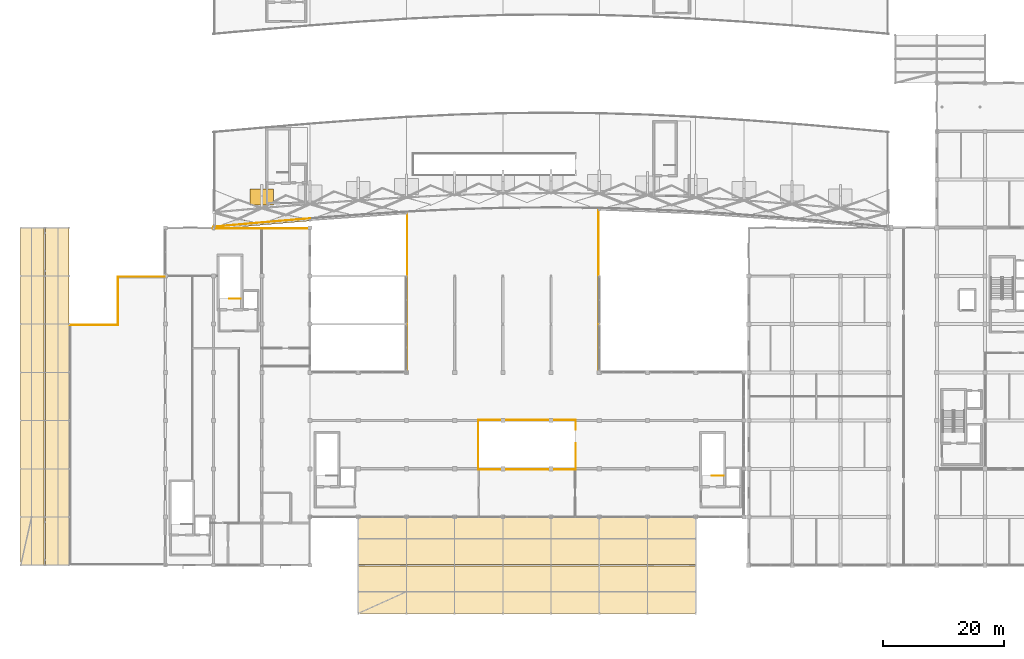
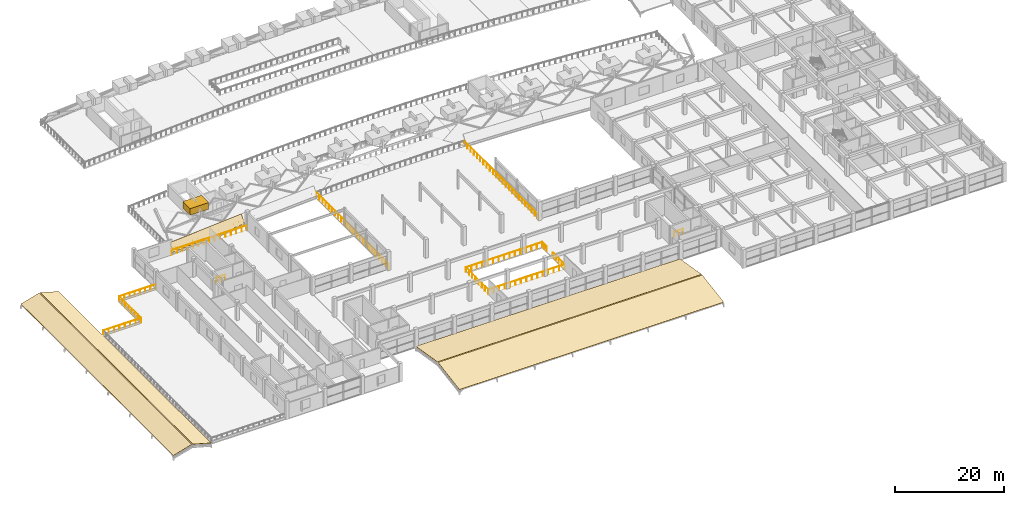
# One storey, part 60 of 67: 14 railings, 5 coverings, 1 shading device.
"""IFC4 building model written with IfcOpenShell, lengths in metres."""

from ifc_helpers import new_model, si_unit, direction, frame, origin, origin_2d, place, context, subcontext, project, spatial, polyline, rectangle, circle, outline, extrude, material, layer, layer_set, type_object, element, save


model = new_model("IFC4")

# Units and contexts
model_context = context("Model", 3, precision=1e-05, world=origin(), true_north=direction((0.0, 1.0)))
body_context = subcontext(model_context, "Body", "Model", "MODEL_VIEW")
ifc_project = project(units=[si_unit("LENGTHUNIT", "METRE"), si_unit("AREAUNIT", "SQUARE_METRE"), si_unit("VOLUMEUNIT", "CUBIC_METRE"), si_unit("PLANEANGLEUNIT", "RADIAN"), si_unit("MASSUNIT", "GRAM", prefix="KILO")], contexts=[model_context])

# Site, building, storey
site_placement = place(None, origin())
site = spatial("IfcSite", under=ifc_project, at=site_placement, CompositionType="ELEMENT")
building_placement = place(site_placement, origin())
building = spatial("IfcBuilding", under=site, at=building_placement, Name="Kenh Van Central Station", CompositionType="ELEMENT")
storey_placement = place(building_placement, frame((0.0, 0.0, 10.800048828125)))
storey = spatial("IfcBuildingStorey", under=building, at=storey_placement, Name="L02", CompositionType="ELEMENT", Elevation=10.800048828125)

# Coverings
ifc_material_1 = material(Name="Standing-seam zinc-aluminium roofing", Category="aluminium")
ifc_layer_1 = layer(ifc_material_1, 0.044921875, Name="Standing-seam zinc-aluminium roofing")
ifc_layer_set_1 = layer_set([ifc_layer_1], Name="Standing-seam zinc-aluminium roofing")
covering_type_1 = type_object("IfcCoveringType", Name="COV-ROOF-SEAM", PredefinedType="ROOFING", material=ifc_layer_set_1)
covering_1_placement = place(storey_placement, frame((32.0, 63.739990234375, 0.614990234375), z_axis=(0.071946943803, -0.829104081069, 0.554445723251), x_axis=(0.996256030684, 0.086451843971, 0.0)))
element("IfcCovering", 1, at=covering_1_placement, inside=storey, type_object=covering_type_1, Name="Train shed springing curb roofing S1", PredefinedType="ROOFING", context=body_context, shape_type="SweptSolid", body=[
    extrude(outline(polyline([(0.0, 0.0), (16.06012862879939, 1.1102230246251565e-16), (16.151392733616685, 1.896870414067549), (0.09126410481729474, 1.896870414067549), (0.0, 0.0)])), origin(), (0.0, 0.0, -1.0), 0.044921875),
])
covering_2_placement = place(storey_placement, frame((56.0, 0.0, 0.139892578125), z_axis=(0.0, -0.162381087761, 0.986728119766), x_axis=(1.0, 0.0, 0.0)))
element("IfcCovering", 2, at=covering_2_placement, inside=storey, type_object=covering_type_1, Name="L02 pitched roof covering 01", PredefinedType="ROOFING", context=body_context, shape_type="SweptSolid", body=[
    extrude(outline(polyline([(0.0, 0.0), (56.0, 0.0), (56.0, 8.006159128839244), (0.0, 8.006159128839244), (0.0, 0.0)])), origin(), (0.0, 0.0, -1.0), 0.044921875),
])
covering_3_placement = place(storey_placement, frame((0.0, 8.0, 0.139892578125), z_axis=(-0.271488785727, 0.0, 0.96244160302), x_axis=(0.96244160302, 0.0, 0.271488785727)))
element("IfcCovering", 3, at=covering_3_placement, inside=storey, type_object=covering_type_1, Name="L02 pitched roof covering 09", PredefinedType="ROOFING", context=body_context, shape_type="SweptSolid", body=[
    extrude(outline(polyline([(0.0, 0.0), (4.052092440218201, 0.0), (4.052092440218201, 56.000000000000014), (0.0, 56.000000000000014), (0.0, 0.0)])), origin(), (0.0, 0.0, -1.0), 0.044921875),
])
ifc_material_2 = material(Name="Glazed terracotta roof tile", Category="masonry")
ifc_layer_2 = layer(ifc_material_2, 0.054931640625, Name="Glazed terracotta roof tile")
ifc_layer_set_2 = layer_set([ifc_layer_2], Name="Glazed terracotta roof tile")
covering_type_2 = type_object("IfcCoveringType", Name="COV-ROOF-TERRA", PredefinedType="ROOFING", material=ifc_layer_set_2)
covering_4_placement = place(storey_placement, frame((56.0, 8.10009765625, 1.43994140625), z_axis=(0.0, 0.162381087761, 0.986728119766), x_axis=(1.0, 0.0, 0.0)))
element("IfcCovering", 4, at=covering_4_placement, inside=storey, type_object=covering_type_2, Name="L02 pitched roof covering 02", PredefinedType="ROOFING", context=body_context, shape_type="SweptSolid", body=[
    extrude(outline(polyline([(0.0, 0.0), (56.0, 0.0), (56.0, 8.006159128839244), (0.0, 8.006159128839244), (0.0, 0.0)])), origin(), (0.0, 0.0, -1.0), 0.054931640625),
])
covering_5_placement = place(storey_placement, frame((4.10009765625, 8.0, 1.239990234375), z_axis=(0.271488785727, 0.0, 0.96244160302), x_axis=(0.96244160302, 0.0, -0.271488785727)))
element("IfcCovering", 5, at=covering_5_placement, inside=storey, type_object=covering_type_2, Name="L02 pitched roof covering 10", PredefinedType="ROOFING", context=body_context, shape_type="SweptSolid", body=[
    extrude(outline(polyline([(0.0, 0.0), (4.052092440218201, 0.0), (4.052092440218201, 56.000000000000014), (0.0, 56.000000000000014), (0.0, 0.0)])), origin(), (0.0, 0.0, -1.0), 0.054931640625),
])

# Railings
ifc_material_3 = material(Name="Champagne anodised aluminium", Category="aluminium")
railing_type_1 = type_object("IfcRailingType", Name="RAIL-CORE-GRD110", PredefinedType="GUARDRAIL", material=ifc_material_3)
railing_1_placement = place(storey_placement, frame((36.5, 52.199951171875, 0.0)))
element("IfcRailing", 6, at=railing_1_placement, inside=storey, type_object=railing_type_1, Name="L02 ST-02 top well guard 1", PredefinedType="GUARDRAIL", context=body_context, shape_type="SweptSolid", body=[
    extrude(circle(Radius=0.02392578125, at=origin_2d()), frame((0.0, 0.0, 1.076171875), z_axis=(-1.0, 0.0, 0.0), x_axis=(0.0, -1.0, 0.0)), (0.0, 0.0, 1.0), 1.85009765625),
    extrude(circle(Radius=0.02099609375, at=origin_2d()), origin(), (0.0, 0.0, 1.0), 1.052001953125),
    extrude(circle(Radius=0.02099609375, at=origin_2d()), frame((-0.925048828125, 0.0, 0.0)), (0.0, 0.0, 1.0), 1.052001953125),
    extrude(circle(Radius=0.02099609375, at=origin_2d()), frame((-1.85009765625, 0.0, 0.0)), (0.0, 0.0, 1.0), 1.052001953125),
])
railing_2_placement = place(storey_placement, frame((116.60009765625, 22.85009765625, 0.0)))
element("IfcRailing", 7, at=railing_2_placement, inside=storey, type_object=railing_type_1, Name="L02 ST-04 top well guard 1", PredefinedType="GUARDRAIL", context=body_context, shape_type="SweptSolid", body=[
    extrude(circle(Radius=0.02392578125, at=origin_2d()), frame((0.0, 0.0, 1.076171875), z_axis=(-1.0, 0.0, 0.0), x_axis=(0.0, -1.0, 0.0)), (0.0, 0.0, 1.0), 1.900146484375),
    extrude(circle(Radius=0.02099609375, at=origin_2d()), origin(), (0.0, 0.0, 1.0), 1.052001953125),
    extrude(circle(Radius=0.02099609375, at=origin_2d()), frame((-0.9501953125, 0.0, 0.0)), (0.0, 0.0, 1.0), 1.052001953125),
    extrude(circle(Radius=0.02099609375, at=origin_2d()), frame((-1.900146484375, 0.0, 0.0)), (0.0, 0.0, 1.0), 1.052001953125),
])
railing_type_2 = type_object("IfcRailingType", Name="RAIL-PUB-BAL112", PredefinedType="BALUSTRADE", material=ifc_material_3)
railing_3_placement = place(storey_placement, frame((75.89990234375, 23.89990234375, 0.0)))
element("IfcRailing", 8, at=railing_3_placement, inside=storey, type_object=railing_type_2, Name="L02 atrium void balustrade 11", PredefinedType="BALUSTRADE", context=body_context, shape_type="SweptSolid", body=[
    extrude(circle(Radius=0.02392578125, at=origin_2d()), frame((0.0, 0.0, 1.09619140625), z_axis=(1.0, 0.0, 0.0), x_axis=(0.0, 1.0, 0.0)), (0.0, 0.0, 1.0), 16.2001953125),
    extrude(circle(Radius=0.02099609375, at=origin_2d()), origin(), (0.0, 0.0, 1.0), 1.072021484375),
    extrude(circle(Radius=0.02099609375, at=origin_2d()), frame((1.1572265625, 0.0, 0.0)), (0.0, 0.0, 1.0), 1.072021484375),
    extrude(circle(Radius=0.02099609375, at=origin_2d()), frame((2.314208984375, 0.0, 0.0)), (0.0, 0.0, 1.0), 1.072021484375),
    extrude(circle(Radius=0.02099609375, at=origin_2d()), frame((3.471435546875, 0.0, 0.0)), (0.0, 0.0, 1.0), 1.072021484375),
    extrude(circle(Radius=0.02099609375, at=origin_2d()), frame((4.628662109375, 0.0, 0.0)), (0.0, 0.0, 1.0), 1.072021484375),
    extrude(circle(Radius=0.02099609375, at=origin_2d()), frame((5.785888671875, 0.0, 0.0)), (0.0, 0.0, 1.0), 1.072021484375),
    extrude(circle(Radius=0.02099609375, at=origin_2d()), frame((6.94287109375, 0.0, 0.0)), (0.0, 0.0, 1.0), 1.072021484375),
    extrude(circle(Radius=0.02099609375, at=origin_2d()), frame((8.10009765625, 0.0, 0.0)), (0.0, 0.0, 1.0), 1.072021484375),
    extrude(circle(Radius=0.02099609375, at=origin_2d()), frame((9.25732421875, 0.0, 0.0)), (0.0, 0.0, 1.0), 1.072021484375),
    extrude(circle(Radius=0.02099609375, at=origin_2d()), frame((10.414306640625, 0.0, 0.0)), (0.0, 0.0, 1.0), 1.072021484375),
    extrude(circle(Radius=0.02099609375, at=origin_2d()), frame((11.571533203125, 0.0, 0.0)), (0.0, 0.0, 1.0), 1.072021484375),
    extrude(circle(Radius=0.02099609375, at=origin_2d()), frame((12.728759765625, 0.0, 0.0)), (0.0, 0.0, 1.0), 1.072021484375),
    extrude(circle(Radius=0.02099609375, at=origin_2d()), frame((13.885986328125, 0.0, 0.0)), (0.0, 0.0, 1.0), 1.072021484375),
    extrude(circle(Radius=0.02099609375, at=origin_2d()), frame((15.04296875, 0.0, 0.0)), (0.0, 0.0, 1.0), 1.072021484375),
    extrude(circle(Radius=0.02099609375, at=origin_2d()), frame((16.2001953125, 0.0, 0.0)), (0.0, 0.0, 1.0), 1.072021484375),
])
railing_4_placement = place(storey_placement, frame((75.89990234375, 32.10009765625, 0.0)))
element("IfcRailing", 9, at=railing_4_placement, inside=storey, type_object=railing_type_2, Name="L02 atrium void balustrade 12", PredefinedType="BALUSTRADE", context=body_context, shape_type="SweptSolid", body=[
    extrude(circle(Radius=0.02392578125, at=origin_2d()), frame((0.0, 0.0, 1.09619140625), z_axis=(1.0, 0.0, 0.0), x_axis=(0.0, 1.0, 0.0)), (0.0, 0.0, 1.0), 16.2001953125),
    extrude(circle(Radius=0.02099609375, at=origin_2d()), origin(), (0.0, 0.0, 1.0), 1.072021484375),
    extrude(circle(Radius=0.02099609375, at=origin_2d()), frame((1.1572265625, 0.0, 0.0)), (0.0, 0.0, 1.0), 1.072021484375),
    extrude(circle(Radius=0.02099609375, at=origin_2d()), frame((2.314208984375, 0.0, 0.0)), (0.0, 0.0, 1.0), 1.072021484375),
    extrude(circle(Radius=0.02099609375, at=origin_2d()), frame((3.471435546875, 0.0, 0.0)), (0.0, 0.0, 1.0), 1.072021484375),
    extrude(circle(Radius=0.02099609375, at=origin_2d()), frame((4.628662109375, 0.0, 0.0)), (0.0, 0.0, 1.0), 1.072021484375),
    extrude(circle(Radius=0.02099609375, at=origin_2d()), frame((5.785888671875, 0.0, 0.0)), (0.0, 0.0, 1.0), 1.072021484375),
    extrude(circle(Radius=0.02099609375, at=origin_2d()), frame((6.94287109375, 0.0, 0.0)), (0.0, 0.0, 1.0), 1.072021484375),
    extrude(circle(Radius=0.02099609375, at=origin_2d()), frame((8.10009765625, 0.0, 0.0)), (0.0, 0.0, 1.0), 1.072021484375),
    extrude(circle(Radius=0.02099609375, at=origin_2d()), frame((9.25732421875, 0.0, 0.0)), (0.0, 0.0, 1.0), 1.072021484375),
    extrude(circle(Radius=0.02099609375, at=origin_2d()), frame((10.414306640625, 0.0, 0.0)), (0.0, 0.0, 1.0), 1.072021484375),
    extrude(circle(Radius=0.02099609375, at=origin_2d()), frame((11.571533203125, 0.0, 0.0)), (0.0, 0.0, 1.0), 1.072021484375),
    extrude(circle(Radius=0.02099609375, at=origin_2d()), frame((12.728759765625, 0.0, 0.0)), (0.0, 0.0, 1.0), 1.072021484375),
    extrude(circle(Radius=0.02099609375, at=origin_2d()), frame((13.885986328125, 0.0, 0.0)), (0.0, 0.0, 1.0), 1.072021484375),
    extrude(circle(Radius=0.02099609375, at=origin_2d()), frame((15.04296875, 0.0, 0.0)), (0.0, 0.0, 1.0), 1.072021484375),
    extrude(circle(Radius=0.02099609375, at=origin_2d()), frame((16.2001953125, 0.0, 0.0)), (0.0, 0.0, 1.0), 1.072021484375),
])
railing_5_placement = place(storey_placement, frame((75.89990234375, 23.89990234375, 0.0)))
element("IfcRailing", 10, at=railing_5_placement, inside=storey, type_object=railing_type_2, Name="L02 atrium void balustrade 13", PredefinedType="BALUSTRADE", context=body_context, shape_type="SweptSolid", body=[
    extrude(circle(Radius=0.02392578125, at=origin_2d()), frame((0.0, 0.0, 1.09619140625), z_axis=(0.0, 1.0, 0.0), x_axis=(-1.0, 0.0, 0.0)), (0.0, 0.0, 1.0), 8.2001953125),
    extrude(circle(Radius=0.02099609375, at=origin_2d()), origin(), (0.0, 0.0, 1.0), 1.072021484375),
    extrude(circle(Radius=0.02099609375, at=origin_2d()), frame((0.0, 1.17138671875, 0.0)), (0.0, 0.0, 1.0), 1.072021484375),
    extrude(circle(Radius=0.02099609375, at=origin_2d()), frame((0.0, 2.343017578125, 0.0)), (0.0, 0.0, 1.0), 1.072021484375),
    extrude(circle(Radius=0.02099609375, at=origin_2d()), frame((0.0, 3.514404296875, 0.0)), (0.0, 0.0, 1.0), 1.072021484375),
    extrude(circle(Radius=0.02099609375, at=origin_2d()), frame((0.0, 4.685791015625, 0.0)), (0.0, 0.0, 1.0), 1.072021484375),
    extrude(circle(Radius=0.02099609375, at=origin_2d()), frame((0.0, 5.857177734375, 0.0)), (0.0, 0.0, 1.0), 1.072021484375),
    extrude(circle(Radius=0.02099609375, at=origin_2d()), frame((0.0, 7.02880859375, 0.0)), (0.0, 0.0, 1.0), 1.072021484375),
    extrude(circle(Radius=0.02099609375, at=origin_2d()), frame((0.0, 8.2001953125, 0.0)), (0.0, 0.0, 1.0), 1.072021484375),
])
railing_6_placement = place(storey_placement, frame((92.10009765625, 23.89990234375, 0.0)))
element("IfcRailing", 11, at=railing_6_placement, inside=storey, type_object=railing_type_2, Name="L02 atrium void balustrade 14", PredefinedType="BALUSTRADE", context=body_context, shape_type="SweptSolid", body=[
    extrude(circle(Radius=0.02392578125, at=origin_2d()), frame((0.0, 0.0, 1.09619140625), z_axis=(0.0, 1.0, 0.0), x_axis=(-1.0, 0.0, 0.0)), (0.0, 0.0, 1.0), 4.300048828125),
    extrude(circle(Radius=0.02099609375, at=origin_2d()), origin(), (0.0, 0.0, 1.0), 1.072021484375),
    extrude(circle(Radius=0.02099609375, at=origin_2d()), frame((0.0, 1.074951171875, 0.0)), (0.0, 0.0, 1.0), 1.072021484375),
    extrude(circle(Radius=0.02099609375, at=origin_2d()), frame((0.0, 2.14990234375, 0.0)), (0.0, 0.0, 1.0), 1.072021484375),
    extrude(circle(Radius=0.02099609375, at=origin_2d()), frame((0.0, 3.22509765625, 0.0)), (0.0, 0.0, 1.0), 1.072021484375),
    extrude(circle(Radius=0.02099609375, at=origin_2d()), frame((0.0, 4.300048828125, 0.0)), (0.0, 0.0, 1.0), 1.072021484375),
])
railing_7_placement = place(storey_placement, frame((92.10009765625, 30.5, 0.0)))
element("IfcRailing", 12, at=railing_7_placement, inside=storey, type_object=railing_type_2, Name="L02 atrium void balustrade 15", PredefinedType="BALUSTRADE", context=body_context, shape_type="SweptSolid", body=[
    extrude(circle(Radius=0.02392578125, at=origin_2d()), frame((0.0, 0.0, 1.09619140625), z_axis=(0.0, 1.0, 0.0), x_axis=(-1.0, 0.0, 0.0)), (0.0, 0.0, 1.0), 1.60009765625),
    extrude(circle(Radius=0.02099609375, at=origin_2d()), origin(), (0.0, 0.0, 1.0), 1.072021484375),
    extrude(circle(Radius=0.02099609375, at=origin_2d()), frame((0.0, 0.800048828125, 0.0)), (0.0, 0.0, 1.0), 1.072021484375),
    extrude(circle(Radius=0.02099609375, at=origin_2d()), frame((0.0, 1.60009765625, 0.0)), (0.0, 0.0, 1.0), 1.072021484375),
])
railing_type_3 = type_object("IfcRailingType", Name="RAIL-TERR-GRD115", PredefinedType="GUARDRAIL", material=ifc_material_3)
railing_8_placement = place(storey_placement, frame((8.14990234375, 47.85009765625, 0.0)))
element("IfcRailing", 13, at=railing_8_placement, inside=storey, type_object=railing_type_3, Name="L02 terrace guardrail 03", PredefinedType="GUARDRAIL", context=body_context, shape_type="SweptSolid", body=[
    extrude(circle(Radius=0.02392578125, at=origin_2d()), frame((0.0, 0.0, 1.1259765625), z_axis=(1.0, 0.0, 0.0), x_axis=(0.0, 1.0, 0.0)), (0.0, 0.0, 1.0), 8.0),
    extrude(circle(Radius=0.02099609375, at=origin_2d()), origin(), (0.0, 0.0, 1.0), 1.101806640625),
    extrude(circle(Radius=0.02099609375, at=origin_2d()), frame((1.142822265625, 0.0, 0.0)), (0.0, 0.0, 1.0), 1.101806640625),
    extrude(circle(Radius=0.02099609375, at=origin_2d()), frame((2.28564453125, 0.0, 0.0)), (0.0, 0.0, 1.0), 1.101806640625),
    extrude(circle(Radius=0.02099609375, at=origin_2d()), frame((3.428466796875, 0.0, 0.0)), (0.0, 0.0, 1.0), 1.101806640625),
    extrude(circle(Radius=0.02099609375, at=origin_2d()), frame((4.571533203125, 0.0, 0.0)), (0.0, 0.0, 1.0), 1.101806640625),
    extrude(circle(Radius=0.02099609375, at=origin_2d()), frame((5.71435546875, 0.0, 0.0)), (0.0, 0.0, 1.0), 1.101806640625),
    extrude(circle(Radius=0.02099609375, at=origin_2d()), frame((6.857177734375, 0.0, 0.0)), (0.0, 0.0, 1.0), 1.101806640625),
    extrude(circle(Radius=0.02099609375, at=origin_2d()), frame((8.0, 0.0, 0.0)), (0.0, 0.0, 1.0), 1.101806640625),
])
railing_9_placement = place(storey_placement, frame((16.14990234375, 47.85009765625, 0.0)))
element("IfcRailing", 14, at=railing_9_placement, inside=storey, type_object=railing_type_3, Name="L02 terrace guardrail 04", PredefinedType="GUARDRAIL", context=body_context, shape_type="SweptSolid", body=[
    extrude(circle(Radius=0.02392578125, at=origin_2d()), frame((0.0, 0.0, 1.1259765625), z_axis=(0.0, 1.0, 0.0), x_axis=(-1.0, 0.0, 0.0)), (0.0, 0.0, 1.0), 8.0),
    extrude(circle(Radius=0.02099609375, at=origin_2d()), origin(), (0.0, 0.0, 1.0), 1.101806640625),
    extrude(circle(Radius=0.02099609375, at=origin_2d()), frame((0.0, 1.142822265625, 0.0)), (0.0, 0.0, 1.0), 1.101806640625),
    extrude(circle(Radius=0.02099609375, at=origin_2d()), frame((0.0, 2.28564453125, 0.0)), (0.0, 0.0, 1.0), 1.101806640625),
    extrude(circle(Radius=0.02099609375, at=origin_2d()), frame((0.0, 3.428466796875, 0.0)), (0.0, 0.0, 1.0), 1.101806640625),
    extrude(circle(Radius=0.02099609375, at=origin_2d()), frame((0.0, 4.571533203125, 0.0)), (0.0, 0.0, 1.0), 1.101806640625),
    extrude(circle(Radius=0.02099609375, at=origin_2d()), frame((0.0, 5.71435546875, 0.0)), (0.0, 0.0, 1.0), 1.101806640625),
    extrude(circle(Radius=0.02099609375, at=origin_2d()), frame((0.0, 6.857177734375, 0.0)), (0.0, 0.0, 1.0), 1.101806640625),
    extrude(circle(Radius=0.02099609375, at=origin_2d()), frame((0.0, 8.0, 0.0)), (0.0, 0.0, 1.0), 1.101806640625),
])
railing_10_placement = place(storey_placement, frame((16.14990234375, 55.85009765625, 0.0)))
element("IfcRailing", 15, at=railing_10_placement, inside=storey, type_object=railing_type_3, Name="L02 terrace guardrail 05", PredefinedType="GUARDRAIL", context=body_context, shape_type="SweptSolid", body=[
    extrude(circle(Radius=0.02392578125, at=origin_2d()), frame((0.0, 0.0, 1.1259765625), z_axis=(1.0, 0.0, 0.0), x_axis=(0.0, 1.0, 0.0)), (0.0, 0.0, 1.0), 7.7001953125),
    extrude(circle(Radius=0.02099609375, at=origin_2d()), origin(), (0.0, 0.0, 1.0), 1.101806640625),
    extrude(circle(Radius=0.02099609375, at=origin_2d()), frame((1.10009765625, 0.0, 0.0)), (0.0, 0.0, 1.0), 1.101806640625),
    extrude(circle(Radius=0.02099609375, at=origin_2d()), frame((2.199951171875, 0.0, 0.0)), (0.0, 0.0, 1.0), 1.101806640625),
    extrude(circle(Radius=0.02099609375, at=origin_2d()), frame((3.300048828125, 0.0, 0.0)), (0.0, 0.0, 1.0), 1.101806640625),
    extrude(circle(Radius=0.02099609375, at=origin_2d()), frame((4.400146484375, 0.0, 0.0)), (0.0, 0.0, 1.0), 1.101806640625),
    extrude(circle(Radius=0.02099609375, at=origin_2d()), frame((5.500244140625, 0.0, 0.0)), (0.0, 0.0, 1.0), 1.101806640625),
    extrude(circle(Radius=0.02099609375, at=origin_2d()), frame((6.60009765625, 0.0, 0.0)), (0.0, 0.0, 1.0), 1.101806640625),
    extrude(circle(Radius=0.02099609375, at=origin_2d()), frame((7.7001953125, 0.0, 0.0)), (0.0, 0.0, 1.0), 1.101806640625),
])
railing_11_placement = place(storey_placement, frame((31.85009765625, 63.85009765625, 0.0)))
element("IfcRailing", 16, at=railing_11_placement, inside=storey, type_object=railing_type_3, Name="L02 west gallery north slab-edge guardrail", PredefinedType="GUARDRAIL", context=body_context, shape_type="SweptSolid", body=[
    extrude(circle(Radius=0.02392578125, at=origin_2d()), frame((0.0, 0.0, 1.1259765625), z_axis=(1.0, 0.0, 0.0), x_axis=(0.0, 1.0, 0.0)), (0.0, 0.0, 1.0), 16.0),
    extrude(circle(Radius=0.02099609375, at=origin_2d()), origin(), (0.0, 0.0, 1.0), 1.101806640625),
    extrude(circle(Radius=0.02099609375, at=origin_2d()), frame((1.142822265625, 0.0, 0.0)), (0.0, 0.0, 1.0), 1.101806640625),
    extrude(circle(Radius=0.02099609375, at=origin_2d()), frame((2.28564453125, 0.0, 0.0)), (0.0, 0.0, 1.0), 1.101806640625),
    extrude(circle(Radius=0.02099609375, at=origin_2d()), frame((3.428466796875, 0.0, 0.0)), (0.0, 0.0, 1.0), 1.101806640625),
    extrude(circle(Radius=0.02099609375, at=origin_2d()), frame((4.571533203125, 0.0, 0.0)), (0.0, 0.0, 1.0), 1.101806640625),
    extrude(circle(Radius=0.02099609375, at=origin_2d()), frame((5.71435546875, 0.0, 0.0)), (0.0, 0.0, 1.0), 1.101806640625),
    extrude(circle(Radius=0.02099609375, at=origin_2d()), frame((6.857177734375, 0.0, 0.0)), (0.0, 0.0, 1.0), 1.101806640625),
    extrude(circle(Radius=0.02099609375, at=origin_2d()), frame((8.0, 0.0, 0.0)), (0.0, 0.0, 1.0), 1.101806640625),
    extrude(circle(Radius=0.02099609375, at=origin_2d()), frame((9.142822265625, 0.0, 0.0)), (0.0, 0.0, 1.0), 1.101806640625),
    extrude(circle(Radius=0.02099609375, at=origin_2d()), frame((10.28564453125, 0.0, 0.0)), (0.0, 0.0, 1.0), 1.101806640625),
    extrude(circle(Radius=0.02099609375, at=origin_2d()), frame((11.428466796875, 0.0, 0.0)), (0.0, 0.0, 1.0), 1.101806640625),
    extrude(circle(Radius=0.02099609375, at=origin_2d()), frame((12.571533203125, 0.0, 0.0)), (0.0, 0.0, 1.0), 1.101806640625),
    extrude(circle(Radius=0.02099609375, at=origin_2d()), frame((13.71435546875, 0.0, 0.0)), (0.0, 0.0, 1.0), 1.101806640625),
    extrude(circle(Radius=0.02099609375, at=origin_2d()), frame((14.857177734375, 0.0, 0.0)), (0.0, 0.0, 1.0), 1.101806640625),
    extrude(circle(Radius=0.02099609375, at=origin_2d()), frame((16.0, 0.0, 0.0)), (0.0, 0.0, 1.0), 1.101806640625),
])
railing_12_placement = place(storey_placement, frame((32.0, 64.14990234375, 0.0)))
element("IfcRailing", 17, at=railing_12_placement, inside=storey, type_object=railing_type_3, Name="L02 platform perimeter guardrail 01", PredefinedType="GUARDRAIL", context=body_context, shape_type="SweptSolid", body=[
    extrude(circle(Radius=0.02392578125, at=origin_2d()), frame((0.0, 0.0, 1.1259765625), z_axis=(0.99606113461, 0.088669138478, 0.0), x_axis=(-0.088669138478, 0.99606113461, 0.0)), (0.0, 0.0, 1.0), 8.03173828125),
    extrude(circle(Radius=0.02392578125, at=origin_2d()), frame((8.0, 0.712158203125, 1.1259765625), z_axis=(0.996446063383, 0.084233264025, 0.0), x_axis=(-0.084233264025, 0.996446063383, 0.0)), (0.0, 0.0, 1.0), 8.028564453125),
    extrude(circle(Radius=0.02099609375, at=origin_2d()), origin(), (0.0, 0.0, 1.0), 1.101806640625),
    extrude(circle(Radius=0.02099609375, at=origin_2d()), frame((1.142822265625, 0.101806640625, 0.0)), (0.0, 0.0, 1.0), 1.101806640625),
    extrude(circle(Radius=0.02099609375, at=origin_2d()), frame((2.28564453125, 0.203369140625, 0.0)), (0.0, 0.0, 1.0), 1.101806640625),
    extrude(circle(Radius=0.02099609375, at=origin_2d()), frame((3.428466796875, 0.30517578125, 0.0)), (0.0, 0.0, 1.0), 1.101806640625),
    extrude(circle(Radius=0.02099609375, at=origin_2d()), frame((4.571533203125, 0.406982421875, 0.0)), (0.0, 0.0, 1.0), 1.101806640625),
    extrude(circle(Radius=0.02099609375, at=origin_2d()), frame((5.71435546875, 0.5087890625, 0.0)), (0.0, 0.0, 1.0), 1.101806640625),
    extrude(circle(Radius=0.02099609375, at=origin_2d()), frame((6.857177734375, 0.6103515625, 0.0)), (0.0, 0.0, 1.0), 1.101806640625),
    extrude(circle(Radius=0.02099609375, at=origin_2d()), frame((8.0, 0.712158203125, 0.0)), (0.0, 0.0, 1.0), 1.101806640625),
    extrude(circle(Radius=0.02099609375, at=origin_2d()), frame((9.142822265625, 0.808837890625, 0.0)), (0.0, 0.0, 1.0), 1.101806640625),
    extrude(circle(Radius=0.02099609375, at=origin_2d()), frame((10.28564453125, 0.9052734375, 0.0)), (0.0, 0.0, 1.0), 1.101806640625),
    extrude(circle(Radius=0.02099609375, at=origin_2d()), frame((11.428466796875, 1.001953125, 0.0)), (0.0, 0.0, 1.0), 1.101806640625),
    extrude(circle(Radius=0.02099609375, at=origin_2d()), frame((12.571533203125, 1.0986328125, 0.0)), (0.0, 0.0, 1.0), 1.101806640625),
    extrude(circle(Radius=0.02099609375, at=origin_2d()), frame((13.71435546875, 1.1953125, 0.0)), (0.0, 0.0, 1.0), 1.101806640625),
    extrude(circle(Radius=0.02099609375, at=origin_2d()), frame((14.857177734375, 1.291748046875, 0.0)), (0.0, 0.0, 1.0), 1.101806640625),
    extrude(circle(Radius=0.02099609375, at=origin_2d()), frame((16.0, 1.388427734375, 0.0)), (0.0, 0.0, 1.0), 1.101806640625),
])
railing_13_placement = place(storey_placement, frame((64.14990234375, 40.10009765625, 0.0)))
element("IfcRailing", 18, at=railing_13_placement, inside=storey, type_object=railing_type_3, Name="L02 bridge concourse edge guardrail 33", PredefinedType="GUARDRAIL", context=body_context, shape_type="SweptSolid", body=[
    extrude(circle(Radius=0.02392578125, at=origin_2d()), frame((0.0, 0.0, 1.1259765625), z_axis=(0.0, 1.0, 0.0), x_axis=(-1.0, 0.0, 0.0)), (0.0, 0.0, 1.0), 26.56005859375),
    extrude(circle(Radius=0.02099609375, at=origin_2d()), origin(), (0.0, 0.0, 1.0), 1.101806640625),
    extrude(circle(Radius=0.02099609375, at=origin_2d()), frame((0.0, 1.15478515625, 0.0)), (0.0, 0.0, 1.0), 1.101806640625),
    extrude(circle(Radius=0.02099609375, at=origin_2d()), frame((0.0, 2.3095703125, 0.0)), (0.0, 0.0, 1.0), 1.101806640625),
    extrude(circle(Radius=0.02099609375, at=origin_2d()), frame((0.0, 3.46435546875, 0.0)), (0.0, 0.0, 1.0), 1.101806640625),
    extrude(circle(Radius=0.02099609375, at=origin_2d()), frame((0.0, 4.619140625, 0.0)), (0.0, 0.0, 1.0), 1.101806640625),
    extrude(circle(Radius=0.02099609375, at=origin_2d()), frame((0.0, 5.77392578125, 0.0)), (0.0, 0.0, 1.0), 1.101806640625),
    extrude(circle(Radius=0.02099609375, at=origin_2d()), frame((0.0, 6.9287109375, 0.0)), (0.0, 0.0, 1.0), 1.101806640625),
    extrude(circle(Radius=0.02099609375, at=origin_2d()), frame((0.0, 8.08349609375, 0.0)), (0.0, 0.0, 1.0), 1.101806640625),
    extrude(circle(Radius=0.02099609375, at=origin_2d()), frame((0.0, 9.23828125, 0.0)), (0.0, 0.0, 1.0), 1.101806640625),
    extrude(circle(Radius=0.02099609375, at=origin_2d()), frame((0.0, 10.39306640625, 0.0)), (0.0, 0.0, 1.0), 1.101806640625),
    extrude(circle(Radius=0.02099609375, at=origin_2d()), frame((0.0, 11.5478515625, 0.0)), (0.0, 0.0, 1.0), 1.101806640625),
    extrude(circle(Radius=0.02099609375, at=origin_2d()), frame((0.0, 12.70263671875, 0.0)), (0.0, 0.0, 1.0), 1.101806640625),
    extrude(circle(Radius=0.02099609375, at=origin_2d()), frame((0.0, 13.857421875, 0.0)), (0.0, 0.0, 1.0), 1.101806640625),
    extrude(circle(Radius=0.02099609375, at=origin_2d()), frame((0.0, 15.01220703125, 0.0)), (0.0, 0.0, 1.0), 1.101806640625),
    extrude(circle(Radius=0.02099609375, at=origin_2d()), frame((0.0, 16.1669921875, 0.0)), (0.0, 0.0, 1.0), 1.101806640625),
    extrude(circle(Radius=0.02099609375, at=origin_2d()), frame((0.0, 17.32177734375, 0.0)), (0.0, 0.0, 1.0), 1.101806640625),
    extrude(circle(Radius=0.02099609375, at=origin_2d()), frame((0.0, 18.4765625, 0.0)), (0.0, 0.0, 1.0), 1.101806640625),
    extrude(circle(Radius=0.02099609375, at=origin_2d()), frame((0.0, 19.63134765625, 0.0)), (0.0, 0.0, 1.0), 1.101806640625),
    extrude(circle(Radius=0.02099609375, at=origin_2d()), frame((0.0, 20.7861328125, 0.0)), (0.0, 0.0, 1.0), 1.101806640625),
    extrude(circle(Radius=0.02099609375, at=origin_2d()), frame((0.0, 21.94091796875, 0.0)), (0.0, 0.0, 1.0), 1.101806640625),
    extrude(circle(Radius=0.02099609375, at=origin_2d()), frame((0.0, 23.095703125, 0.0)), (0.0, 0.0, 1.0), 1.101806640625),
    extrude(circle(Radius=0.02099609375, at=origin_2d()), frame((0.0, 24.25048828125, 0.0)), (0.0, 0.0, 1.0), 1.101806640625),
    extrude(circle(Radius=0.02099609375, at=origin_2d()), frame((0.0, 25.4052734375, 0.0)), (0.0, 0.0, 1.0), 1.101806640625),
    extrude(circle(Radius=0.02099609375, at=origin_2d()), frame((0.0, 26.56005859375, 0.0)), (0.0, 0.0, 1.0), 1.101806640625),
])
railing_14_placement = place(storey_placement, frame((95.85009765625, 40.10009765625, 0.0)))
element("IfcRailing", 19, at=railing_14_placement, inside=storey, type_object=railing_type_3, Name="L02 bridge concourse edge guardrail 34", PredefinedType="GUARDRAIL", context=body_context, shape_type="SweptSolid", body=[
    extrude(circle(Radius=0.02392578125, at=origin_2d()), frame((0.0, 0.0, 1.1259765625), z_axis=(0.0, 1.0, 0.0), x_axis=(-1.0, 0.0, 0.0)), (0.0, 0.0, 1.0), 27.172607421875),
    extrude(circle(Radius=0.02099609375, at=origin_2d()), origin(), (0.0, 0.0, 1.0), 1.101806640625),
    extrude(circle(Radius=0.02099609375, at=origin_2d()), frame((0.0, 1.181396484375, 0.0)), (0.0, 0.0, 1.0), 1.101806640625),
    extrude(circle(Radius=0.02099609375, at=origin_2d()), frame((0.0, 2.36279296875, 0.0)), (0.0, 0.0, 1.0), 1.101806640625),
    extrude(circle(Radius=0.02099609375, at=origin_2d()), frame((0.0, 3.544189453125, 0.0)), (0.0, 0.0, 1.0), 1.101806640625),
    extrude(circle(Radius=0.02099609375, at=origin_2d()), frame((0.0, 4.7255859375, 0.0)), (0.0, 0.0, 1.0), 1.101806640625),
    extrude(circle(Radius=0.02099609375, at=origin_2d()), frame((0.0, 5.906982421875, 0.0)), (0.0, 0.0, 1.0), 1.101806640625),
    extrude(circle(Radius=0.02099609375, at=origin_2d()), frame((0.0, 7.088623046875, 0.0)), (0.0, 0.0, 1.0), 1.101806640625),
    extrude(circle(Radius=0.02099609375, at=origin_2d()), frame((0.0, 8.27001953125, 0.0)), (0.0, 0.0, 1.0), 1.101806640625),
    extrude(circle(Radius=0.02099609375, at=origin_2d()), frame((0.0, 9.451416015625, 0.0)), (0.0, 0.0, 1.0), 1.101806640625),
    extrude(circle(Radius=0.02099609375, at=origin_2d()), frame((0.0, 10.6328125, 0.0)), (0.0, 0.0, 1.0), 1.101806640625),
    extrude(circle(Radius=0.02099609375, at=origin_2d()), frame((0.0, 11.814208984375, 0.0)), (0.0, 0.0, 1.0), 1.101806640625),
    extrude(circle(Radius=0.02099609375, at=origin_2d()), frame((0.0, 12.99560546875, 0.0)), (0.0, 0.0, 1.0), 1.101806640625),
    extrude(circle(Radius=0.02099609375, at=origin_2d()), frame((0.0, 14.177001953125, 0.0)), (0.0, 0.0, 1.0), 1.101806640625),
    extrude(circle(Radius=0.02099609375, at=origin_2d()), frame((0.0, 15.3583984375, 0.0)), (0.0, 0.0, 1.0), 1.101806640625),
    extrude(circle(Radius=0.02099609375, at=origin_2d()), frame((0.0, 16.539794921875, 0.0)), (0.0, 0.0, 1.0), 1.101806640625),
    extrude(circle(Radius=0.02099609375, at=origin_2d()), frame((0.0, 17.72119140625, 0.0)), (0.0, 0.0, 1.0), 1.101806640625),
    extrude(circle(Radius=0.02099609375, at=origin_2d()), frame((0.0, 18.902587890625, 0.0)), (0.0, 0.0, 1.0), 1.101806640625),
    extrude(circle(Radius=0.02099609375, at=origin_2d()), frame((0.0, 20.083984375, 0.0)), (0.0, 0.0, 1.0), 1.101806640625),
    extrude(circle(Radius=0.02099609375, at=origin_2d()), frame((0.0, 21.265625, 0.0)), (0.0, 0.0, 1.0), 1.101806640625),
    extrude(circle(Radius=0.02099609375, at=origin_2d()), frame((0.0, 22.447021484375, 0.0)), (0.0, 0.0, 1.0), 1.101806640625),
    extrude(circle(Radius=0.02099609375, at=origin_2d()), frame((0.0, 23.62841796875, 0.0)), (0.0, 0.0, 1.0), 1.101806640625),
    extrude(circle(Radius=0.02099609375, at=origin_2d()), frame((0.0, 24.809814453125, 0.0)), (0.0, 0.0, 1.0), 1.101806640625),
    extrude(circle(Radius=0.02099609375, at=origin_2d()), frame((0.0, 25.9912109375, 0.0)), (0.0, 0.0, 1.0), 1.101806640625),
    extrude(circle(Radius=0.02099609375, at=origin_2d()), frame((0.0, 27.172607421875, 0.0)), (0.0, 0.0, 1.0), 1.101806640625),
])

# Shading device
shading_device_type = type_object("IfcShadingDeviceType", Name="SHD-LOUVRE-JAL", PredefinedType="JALOUSIE", material=ifc_material_3)
shading_device_placement = place(storey_placement, frame((40.0, 69.077392578125, 4.421875), z_axis=(0.0, 0.0, 1.0), x_axis=(1.0, 0.0, 0.0)))
element("IfcShadingDevice", 20, at=shading_device_placement, inside=storey, type_object=shading_device_type, Name="Vault monsoon ventilation louvre 02", PredefinedType="JALOUSIE", context=body_context, shape_type="SweptSolid", body=[
    extrude(rectangle(XDim=3.919921875, YDim=2.67626953125, at=origin_2d()), origin(), (0.0, 0.0, 1.0), 1.466796875),
])

save(model, "model.ifc")
